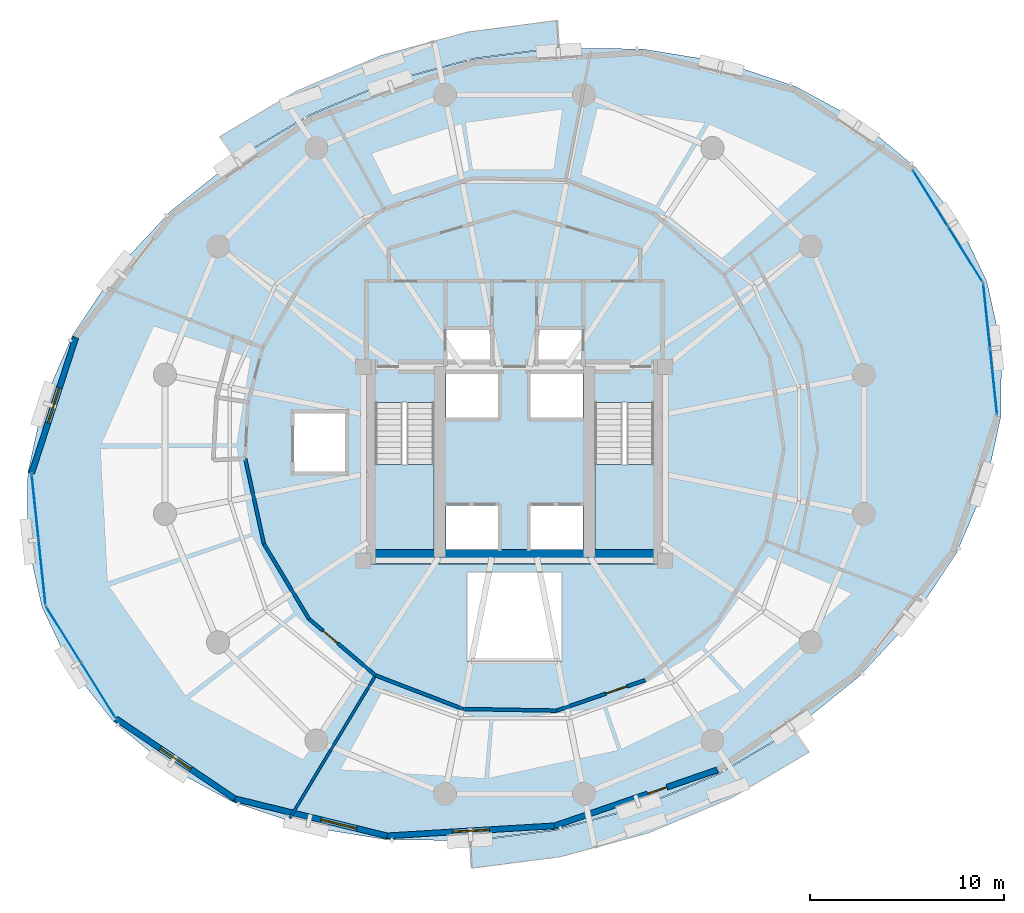
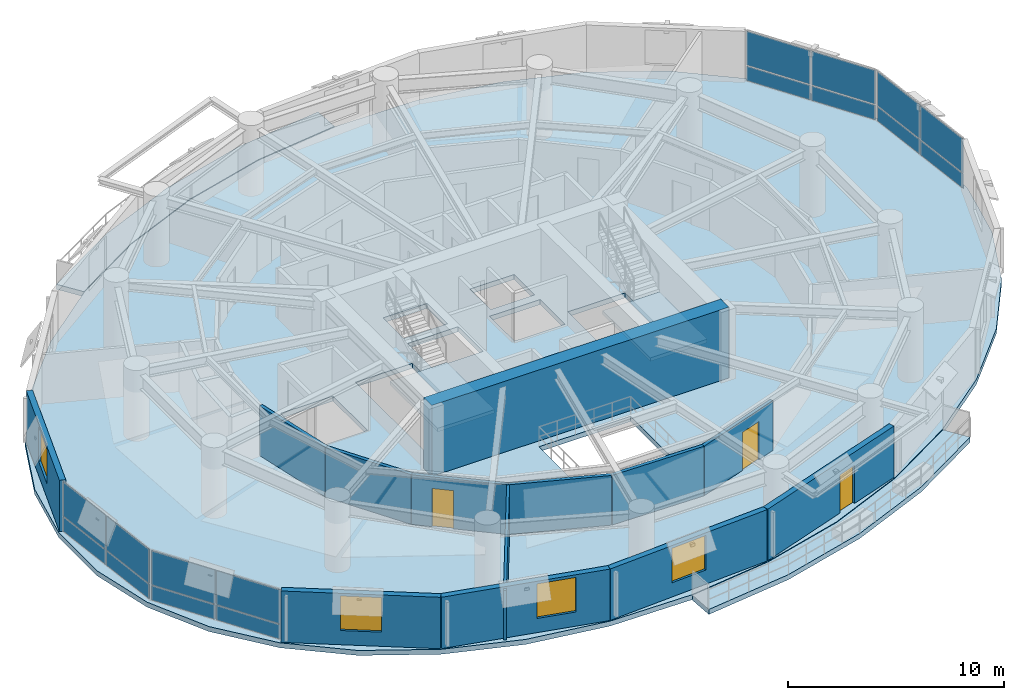
# One storey, part 9 of 15: 16 plates, 13 walls, 5 slabs, 4 windows, 3 doors, 7 openings, 6 elements without a shape of their own.
"""IFC4 building model written with IfcOpenShell, lengths in metres."""

from ifc_helpers import new_model, si_unit, direction, frame, frame_2d, origin, origin_2d, place, context, subcontext, project, spatial, polyline, rectangle, outline, extrude, material, layer, layer_set, type_object, element, fill, aggregate, save


model = new_model("IFC4")

# Units and contexts
model_context = context("Model", 3, precision=1e-05, world=origin(), true_north=direction((0.0, 1.0)))
body_context = subcontext(model_context, "Body", "Model", "MODEL_VIEW")
ifc_project = project(units=[si_unit("LENGTHUNIT", "METRE"), si_unit("AREAUNIT", "SQUARE_METRE"), si_unit("VOLUMEUNIT", "CUBIC_METRE"), si_unit("PLANEANGLEUNIT", "RADIAN"), si_unit("MASSUNIT", "GRAM", prefix="KILO"), si_unit("THERMODYNAMICTEMPERATUREUNIT", "KELVIN"), si_unit("POWERUNIT", "WATT")], contexts=[model_context])

# Site, building, storey
site_placement = place(None, origin())
site = spatial("IfcSite", under=ifc_project, at=site_placement, CompositionType="ELEMENT")
building_placement = place(site_placement, origin())
building = spatial("IfcBuilding", under=site, at=building_placement, Name="Ocrelia Relay Tower", CompositionType="ELEMENT")
storey_placement = place(building_placement, frame((0.0, 0.0, 113.800048828125)))
storey = spatial("IfcBuildingStorey", under=building, at=storey_placement, Name="L26", CompositionType="ELEMENT", Elevation=113.800048828125)

# Curtain wall, plates
ifc_material_1 = material(Name="Aluminium and solar-control low-E glass", Category="aluminium")
ifc_layer_1 = layer(ifc_material_1, 0.179931640625, Name="Aluminium and solar-control low-E glass")
ifc_layer_set_1 = layer_set([ifc_layer_1], Name="Aluminium and solar-control low-E glass")
curtain_wall_type = type_object("IfcCurtainWallType", Name="CW-SYS-Z2-SWIT", PredefinedType="NOTDEFINED", material=ifc_layer_set_1)
curtain_wall_1_placement = place(storey_placement, origin())
curtain_wall_1 = element("IfcCurtainWall", 1, at=curtain_wall_1_placement, inside=storey, type_object=curtain_wall_type, Name="L26 Elliptical Tower Curtain Wall Bay 01", PredefinedType="NOTDEFINED")
ifc_material_2 = material(Name="Clear double-glazed low-E glass", Category="glass")
ifc_layer_2 = layer(ifc_material_2, 0.031982421875, Name="Clear double-glazed low-E glass")
ifc_layer_set_2 = layer_set([ifc_layer_2], Name="Clear double-glazed low-E glass")
plate_type = type_object("IfcPlateType", Name="CW-SYS-Z2-SWIT-PNL", PredefinedType="CURTAIN_PANEL", material=ifc_layer_set_2)
plate_1_placement = place(storey_placement, frame((57.285400390625, 35.808349609375, 0.059814453125), z_axis=(0.0, 0.0, 1.0), x_axis=(-0.529468330311, 0.8483297043, 0.0)))
plate_1 = element("IfcPlate", 2, at=plate_1_placement, type_object=plate_type, Name="CW-Z2 panel 1.1", PredefinedType="CURTAIN_PANEL", context=body_context, shape_type="SweptSolid", body=[
    extrude(rectangle(XDim=3.33447265625, YDim=0.031982421875, at=origin_2d()), origin(), (0.0, 0.0, 1.0), 0.81005859375),
])
plate_2_placement = place(storey_placement, frame((57.285400390625, 35.808349609375, 0.93017578125), z_axis=(0.0, 0.0, 1.0), x_axis=(-0.529468330311, 0.8483297043, 0.0)))
plate_2 = element("IfcPlate", 3, at=plate_2_placement, type_object=plate_type, Name="CW-Z2 panel 1.2", PredefinedType="CURTAIN_PANEL", context=body_context, shape_type="SweptSolid", body=[
    extrude(rectangle(XDim=3.33447265625, YDim=0.031982421875, at=origin_2d()), origin(), (0.0, 0.0, 1.0), 1.909912109375),
])
plate_3_placement = place(storey_placement, frame((55.48291015625, 38.696533203125, 0.059814453125), z_axis=(0.0, 0.0, 1.0), x_axis=(-0.529468330311, 0.8483297043, 0.0)))
plate_3 = element("IfcPlate", 4, at=plate_3_placement, type_object=plate_type, Name="CW-Z2 panel 2.1", PredefinedType="CURTAIN_PANEL", context=body_context, shape_type="SweptSolid", body=[
    extrude(rectangle(XDim=3.33447265625, YDim=0.031982421875, at=origin_2d()), origin(), (0.0, 0.0, 1.0), 0.81005859375),
])
plate_4_placement = place(storey_placement, frame((55.48291015625, 38.696533203125, 0.93017578125), z_axis=(0.0, 0.0, 1.0), x_axis=(-0.529468330311, 0.8483297043, 0.0)))
plate_4 = element("IfcPlate", 5, at=plate_4_placement, type_object=plate_type, Name="CW-Z2 panel 2.2", PredefinedType="CURTAIN_PANEL", context=body_context, shape_type="SweptSolid", body=[
    extrude(rectangle(XDim=3.33447265625, YDim=0.031982421875, at=origin_2d()), origin(), (0.0, 0.0, 1.0), 1.909912109375),
])
aggregate(curtain_wall_1, [plate_1, plate_2, plate_3, plate_4])

curtain_wall_2_placement = place(storey_placement, origin())
curtain_wall_2 = element("IfcCurtainWall", 6, at=curtain_wall_2_placement, inside=storey, type_object=curtain_wall_type, Name="L26 Elliptical Tower Curtain Wall Bay 09", PredefinedType="NOTDEFINED")
plate_5_placement = place(storey_placement, frame((9.25439453125, 22.77880859375, 0.059814453125), z_axis=(0.0, 0.0, 1.0), x_axis=(0.105057836614, -0.994466113533, 0.0)))
plate_5 = element("IfcPlate", 7, at=plate_5_placement, type_object=plate_type, Name="CW-Z2 panel 1.1", PredefinedType="CURTAIN_PANEL", context=body_context, shape_type="SweptSolid", body=[
    extrude(rectangle(XDim=3.33447265625, YDim=0.031982421875, at=origin_2d()), origin(), (0.0, 0.0, 1.0), 0.81005859375),
])
plate_6_placement = place(storey_placement, frame((9.25439453125, 22.77880859375, 0.93017578125), z_axis=(0.0, 0.0, 1.0), x_axis=(0.105057836614, -0.994466113533, 0.0)))
plate_6 = element("IfcPlate", 8, at=plate_6_placement, type_object=plate_type, Name="CW-Z2 panel 1.2", PredefinedType="CURTAIN_PANEL", context=body_context, shape_type="SweptSolid", body=[
    extrude(rectangle(XDim=3.33447265625, YDim=0.031982421875, at=origin_2d()), origin(), (0.0, 0.0, 1.0), 1.909912109375),
])
plate_7_placement = place(storey_placement, frame((9.6123046875, 19.39306640625, 0.059814453125), z_axis=(0.0, 0.0, 1.0), x_axis=(0.105057836614, -0.994466113533, 0.0)))
plate_7 = element("IfcPlate", 9, at=plate_7_placement, type_object=plate_type, Name="CW-Z2 panel 2.1", PredefinedType="CURTAIN_PANEL", context=body_context, shape_type="SweptSolid", body=[
    extrude(rectangle(XDim=3.33447265625, YDim=0.031982421875, at=origin_2d()), origin(), (0.0, 0.0, 1.0), 0.81005859375),
])
plate_8_placement = place(storey_placement, frame((9.6123046875, 19.39306640625, 0.93017578125), z_axis=(0.0, 0.0, 1.0), x_axis=(0.105057836614, -0.994466113533, 0.0)))
plate_8 = element("IfcPlate", 10, at=plate_8_placement, type_object=plate_type, Name="CW-Z2 panel 2.2", PredefinedType="CURTAIN_PANEL", context=body_context, shape_type="SweptSolid", body=[
    extrude(rectangle(XDim=3.33447265625, YDim=0.031982421875, at=origin_2d()), origin(), (0.0, 0.0, 1.0), 1.909912109375),
])
aggregate(curtain_wall_2, [plate_5, plate_6, plate_7, plate_8])

curtain_wall_3_placement = place(storey_placement, origin())
curtain_wall_3 = element("IfcCurtainWall", 11, at=curtain_wall_3_placement, inside=storey, type_object=curtain_wall_type, Name="L26 Elliptical Tower Curtain Wall Bay 10", PredefinedType="NOTDEFINED")
plate_9_placement = place(storey_placement, frame((10.714599609375, 16.191650390625, 0.059814453125), z_axis=(0.0, 0.0, 1.0), x_axis=(0.529468330311, -0.8483297043, 0.0)))
plate_9 = element("IfcPlate", 12, at=plate_9_placement, type_object=plate_type, Name="CW-Z2 panel 1.1", PredefinedType="CURTAIN_PANEL", context=body_context, shape_type="SweptSolid", body=[
    extrude(rectangle(XDim=3.33447265625, YDim=0.031982421875, at=origin_2d()), origin(), (0.0, 0.0, 1.0), 0.81005859375),
])
plate_10_placement = place(storey_placement, frame((10.714599609375, 16.191650390625, 0.93017578125), z_axis=(0.0, 0.0, 1.0), x_axis=(0.529468330311, -0.8483297043, 0.0)))
plate_10 = element("IfcPlate", 13, at=plate_10_placement, type_object=plate_type, Name="CW-Z2 panel 1.2", PredefinedType="CURTAIN_PANEL", context=body_context, shape_type="SweptSolid", body=[
    extrude(rectangle(XDim=3.33447265625, YDim=0.031982421875, at=origin_2d()), origin(), (0.0, 0.0, 1.0), 1.909912109375),
])
plate_11_placement = place(storey_placement, frame((12.51708984375, 13.303466796875, 0.059814453125), z_axis=(0.0, 0.0, 1.0), x_axis=(0.529468330311, -0.8483297043, 0.0)))
plate_11 = element("IfcPlate", 14, at=plate_11_placement, type_object=plate_type, Name="CW-Z2 panel 2.1", PredefinedType="CURTAIN_PANEL", context=body_context, shape_type="SweptSolid", body=[
    extrude(rectangle(XDim=3.33447265625, YDim=0.031982421875, at=origin_2d()), origin(), (0.0, 0.0, 1.0), 0.81005859375),
])
plate_12_placement = place(storey_placement, frame((12.51708984375, 13.303466796875, 0.93017578125), z_axis=(0.0, 0.0, 1.0), x_axis=(0.529468330311, -0.8483297043, 0.0)))
plate_12 = element("IfcPlate", 15, at=plate_12_placement, type_object=plate_type, Name="CW-Z2 panel 2.2", PredefinedType="CURTAIN_PANEL", context=body_context, shape_type="SweptSolid", body=[
    extrude(rectangle(XDim=3.33447265625, YDim=0.031982421875, at=origin_2d()), origin(), (0.0, 0.0, 1.0), 1.909912109375),
])
aggregate(curtain_wall_3, [plate_9, plate_10, plate_11, plate_12])

curtain_wall_4_placement = place(storey_placement, origin())
curtain_wall_4 = element("IfcCurtainWall", 16, at=curtain_wall_4_placement, inside=storey, type_object=curtain_wall_type, Name="L26 Elliptical Tower Curtain Wall Bay 18", PredefinedType="NOTDEFINED")
plate_13_placement = place(storey_placement, frame((58.74560546875, 29.22119140625, 0.059814453125), z_axis=(0.0, 0.0, 1.0), x_axis=(-0.105057836614, 0.994466113533, 0.0)))
plate_13 = element("IfcPlate", 17, at=plate_13_placement, type_object=plate_type, Name="CW-Z2 panel 1.1", PredefinedType="CURTAIN_PANEL", context=body_context, shape_type="SweptSolid", body=[
    extrude(rectangle(XDim=3.33447265625, YDim=0.031982421875, at=origin_2d()), origin(), (0.0, 0.0, 1.0), 0.81005859375),
])
plate_14_placement = place(storey_placement, frame((58.74560546875, 29.22119140625, 0.93017578125), z_axis=(0.0, 0.0, 1.0), x_axis=(-0.105057836614, 0.994466113533, 0.0)))
plate_14 = element("IfcPlate", 18, at=plate_14_placement, type_object=plate_type, Name="CW-Z2 panel 1.2", PredefinedType="CURTAIN_PANEL", context=body_context, shape_type="SweptSolid", body=[
    extrude(rectangle(XDim=3.33447265625, YDim=0.031982421875, at=origin_2d()), origin(), (0.0, 0.0, 1.0), 1.909912109375),
])
plate_15_placement = place(storey_placement, frame((58.3876953125, 32.60693359375, 0.059814453125), z_axis=(0.0, 0.0, 1.0), x_axis=(-0.105057836614, 0.994466113533, 0.0)))
plate_15 = element("IfcPlate", 19, at=plate_15_placement, type_object=plate_type, Name="CW-Z2 panel 2.1", PredefinedType="CURTAIN_PANEL", context=body_context, shape_type="SweptSolid", body=[
    extrude(rectangle(XDim=3.33447265625, YDim=0.031982421875, at=origin_2d()), origin(), (0.0, 0.0, 1.0), 0.81005859375),
])
plate_16_placement = place(storey_placement, frame((58.3876953125, 32.60693359375, 0.93017578125), z_axis=(0.0, 0.0, 1.0), x_axis=(-0.105057836614, 0.994466113533, 0.0)))
plate_16 = element("IfcPlate", 20, at=plate_16_placement, type_object=plate_type, Name="CW-Z2 panel 2.2", PredefinedType="CURTAIN_PANEL", context=body_context, shape_type="SweptSolid", body=[
    extrude(rectangle(XDim=3.33447265625, YDim=0.031982421875, at=origin_2d()), origin(), (0.0, 0.0, 1.0), 1.909912109375),
])
aggregate(curtain_wall_4, [plate_13, plate_14, plate_15, plate_16])

# Slabs
ifc_material_3 = material(Name="Precast concrete C40/50", Category="concrete")
ifc_layer_3 = layer(ifc_material_3, 0.280029296875, Name="Precast concrete C40/50")
ifc_layer_set_3 = layer_set([ifc_layer_3], Name="Precast concrete C40/50")
slab_type_1 = type_object("IfcSlabType", Name="SL-BALC-280", PredefinedType="FLOOR", material=ifc_layer_set_3)
slab_1_placement = place(storey_placement, frame((0.0, 0.0, -0.280029296875)))
element("IfcSlab", 21, at=slab_1_placement, inside=storey, type_object=slab_type_1, Name="L26 Planted Loggia Balcony B1", PredefinedType="FLOOR", context=body_context, shape_type="SweptSolid", body=[
    extrude(outline(polyline([(36.2841796875, 46.4951171875), (34.0830078125, 46.2099609375), (31.8818359375, 45.9248046875), (27.5439453125, 44.749755859375), (23.402099609375, 43.005126953125), (21.491943359375, 41.874755859375), (19.58203125, 40.744140625), (18.78955078125, 41.890380859375), (20.782470703125, 43.06982421875), (22.775390625, 44.24951171875), (27.090576171875, 46.06689453125), (31.609619140625, 47.291259765625), (33.90625, 47.588623046875), (36.202880859375, 47.88623046875), (36.2841796875, 46.4951171875)])), origin(), (0.0, 0.0, 1.0), 0.280029296875),
])
slab_2_placement = place(storey_placement, frame((0.0, 0.0, -0.280029296875)))
element("IfcSlab", 22, at=slab_2_placement, inside=storey, type_object=slab_type_1, Name="L26 Planted Loggia Balcony B2", PredefinedType="FLOOR", context=body_context, shape_type="SweptSolid", body=[
    extrude(outline(polyline([(31.7158203125, 5.5048828125), (33.9169921875, 5.7900390625), (36.1181640625, 6.0751953125), (40.4560546875, 7.250244140625), (44.597900390625, 8.994873046875), (46.508056640625, 10.12548828125), (48.41796875, 11.255859375), (49.21044921875, 10.109619140625), (47.217529296875, 8.929931640625), (45.224609375, 7.75048828125), (40.909423828125, 5.93310546875), (36.390380859375, 4.708740234375), (34.09375, 4.411376953125), (31.797119140625, 4.11376953125), (31.7158203125, 5.5048828125)])), origin(), (0.0, 0.0, 1.0), 0.280029296875),
])
ifc_material_4 = material(Name="Concrete C50/60", Category="concrete")
ifc_layer_4 = layer(ifc_material_4, 0.280029296875, Name="Concrete C50/60")
ifc_layer_set_4 = layer_set([ifc_layer_4], Name="Concrete C50/60")
slab_type_2 = type_object("IfcSlabType", Name="SL-FLR-280", PredefinedType="FLOOR", material=ifc_layer_set_4)
slab_3_placement = place(storey_placement, frame((0.0, 0.0, -0.280029296875)))
element("IfcSlab", 23, at=slab_3_placement, inside=storey, type_object=slab_type_2, Name="L26 Elliptical Tower Floor Slab", PredefinedType="FLOOR", context=body_context, shape_type="SweptSolid", body=[
    extrude(outline(polyline([(58.394287109375, 34.399658203125), (56.904296875, 37.52294921875), (54.718505859375, 40.296142578125), (51.903076171875, 42.635009765625), (48.543701171875, 44.46826171875), (44.7421875, 45.740478515625), (40.614501953125, 46.412841796875), (36.285888671875, 46.465087890625), (31.8876953125, 45.8955078125), (27.5537109375, 44.72119140625), (23.41552734375, 42.978271484375), (19.59912109375, 40.719482421875), (16.22021484375, 38.01318359375), (13.381591796875, 34.942138671875), (11.169189453125, 31.599365234375), (9.650634765625, 28.086181640625), (8.8720703125, 24.510009765625), (8.856689453125, 20.97900390625), (9.605712890625, 17.600341796875), (11.095703125, 14.47705078125), (13.281494140625, 11.703857421875), (16.096923828125, 9.364990234375), (19.456298828125, 7.53173828125), (23.2578125, 6.259521484375), (27.385498046875, 5.587158203125), (31.714111328125, 5.534912109375), (36.1123046875, 6.1044921875), (40.4462890625, 7.27880859375), (44.58447265625, 9.021728515625), (48.40087890625, 11.280517578125), (51.77978515625, 13.98681640625), (54.618408203125, 17.057861328125), (56.830810546875, 20.400634765625), (58.349365234375, 23.913818359375), (59.1279296875, 27.489990234375), (59.143310546875, 31.02099609375), (58.394287109375, 34.399658203125)]), holes=[polyline([(26.81005859375, 28.14990234375), (26.81005859375, 20.550048828125), (29.85009765625, 20.550048828125), (29.85009765625, 28.14990234375), (26.81005859375, 28.14990234375)]), polyline([(38.159912109375, 28.14990234375), (38.159912109375, 20.550048828125), (41.199951171875, 20.550048828125), (41.199951171875, 28.14990234375), (38.159912109375, 28.14990234375)]), polyline([(30.4599609375, 20.550048828125), (33.159912109375, 20.550048828125), (33.159912109375, 22.85009765625), (30.4599609375, 22.85009765625), (30.4599609375, 20.550048828125)]), polyline([(34.840087890625, 20.550048828125), (37.5400390625, 20.550048828125), (37.5400390625, 22.85009765625), (34.840087890625, 22.85009765625), (34.840087890625, 20.550048828125)]), polyline([(30.4599609375, 27.35009765625), (33.159912109375, 27.35009765625), (33.159912109375, 29.64990234375), (30.4599609375, 29.64990234375), (30.4599609375, 27.35009765625)]), polyline([(34.840087890625, 27.35009765625), (37.5400390625, 27.35009765625), (37.5400390625, 29.64990234375), (34.840087890625, 29.64990234375), (34.840087890625, 27.35009765625)]), polyline([(30.5, 30.10009765625), (32.85009765625, 30.10009765625), (32.85009765625, 32.0), (30.5, 32.0), (30.5, 30.10009765625)]), polyline([(35.14990234375, 30.10009765625), (37.5, 30.10009765625), (37.5, 32.0), (35.14990234375, 32.0), (35.14990234375, 30.10009765625)]), polyline([(22.550048828125, 24.5), (25.35009765625, 24.5), (25.35009765625, 27.699951171875), (22.550048828125, 27.699951171875), (22.550048828125, 24.5)]), polyline([(31.550048828125, 14.800048828125), (36.449951171875, 14.800048828125), (36.449951171875, 19.39990234375), (31.550048828125, 19.39990234375), (31.550048828125, 14.800048828125)])]), origin(), (0.0, 0.0, 1.0), 0.280029296875),
])

# Stair, slab
stair_type = type_object("IfcStairType", Name="ST-DL-1420-R167", PredefinedType="HALF_TURN_STAIR", material=ifc_material_4)
stair_1_placement = place(storey_placement, origin())
stair_1 = element("IfcStair", 24, at=stair_1_placement, inside=storey, type_object=stair_type, Name="L26 West Core Exit Stair ST1", PredefinedType="HALF_TURN_STAIR")
ifc_layer_5 = layer(ifc_material_4, 0.199951171875, Name="Concrete C50/60")
ifc_layer_set_5 = layer_set([ifc_layer_5], Name="Concrete C50/60")
slab_type_3 = type_object("IfcSlabType", Name="SL-LANDING-200", PredefinedType="LANDING", material=ifc_layer_set_5)
slab_4_placement = place(storey_placement, frame((0.0, 0.0, 1.800048828125)))
slab_4 = element("IfcSlab", 25, at=slab_4_placement, type_object=slab_type_3, Name="ST1 landing 1", PredefinedType="LANDING", context=body_context, shape_type="SweptSolid", body=[
    extrude(outline(polyline([(26.81005859375, 24.9599609375), (26.81005859375, 20.550048828125), (29.85009765625, 20.550048828125), (29.85009765625, 24.9599609375), (26.81005859375, 24.9599609375)])), origin(), (0.0, 0.0, 1.0), 0.199951171875),
])
aggregate(stair_1, [slab_4])

stair_2_placement = place(storey_placement, origin())
stair_2 = element("IfcStair", 26, at=stair_2_placement, inside=storey, type_object=stair_type, Name="L26 East Core Exit Stair ST2", PredefinedType="HALF_TURN_STAIR")
slab_5_placement = place(storey_placement, frame((0.0, 0.0, 1.800048828125)))
slab_5 = element("IfcSlab", 27, at=slab_5_placement, type_object=slab_type_3, Name="ST2 landing 1", PredefinedType="LANDING", context=body_context, shape_type="SweptSolid", body=[
    extrude(outline(polyline([(38.159912109375, 24.9599609375), (38.159912109375, 20.550048828125), (41.199951171875, 20.550048828125), (41.199951171875, 24.9599609375), (38.159912109375, 24.9599609375)])), origin(), (0.0, 0.0, 1.0), 0.199951171875),
])
aggregate(stair_2, [slab_5])

# Walls
ifc_material_5 = material(Name="Concrete C60/75", Category="concrete")
ifc_layer_6 = layer(ifc_material_5, 0.75, Name="Concrete C60/75")
ifc_layer_set_6 = layer_set([ifc_layer_6], Name="Concrete C60/75")
wall_type_1 = type_object("IfcWallType", Name="CW-CORE-750", PredefinedType="SHEAR", material=ifc_layer_set_6)
wall_1_placement = place(storey_placement, frame((26.072021484375, 20.18701171875, 0.0), z_axis=(0.0, 0.0, 1.0), x_axis=(1.0, 0.0, 0.0)))
element("IfcWall", 28, at=wall_1_placement, inside=storey, type_object=wall_type_1, Name="L26 Core Shear Wall S", PredefinedType="SHEAR", context=body_context, shape_type="SweptSolid", body=[
    extrude(rectangle(XDim=15.865966796875, YDim=0.75, at=frame_2d((7.93310546875, 0.0))), origin(), (0.0, 0.0, 1.0), 4.0),
])
ifc_material_6 = material(Name="Gypsum Fireboard Partition EI60", Category="gypsum")
ifc_layer_7 = layer(ifc_material_6, 0.179931640625, Name="Gypsum Fireboard Partition EI60")
ifc_layer_set_7 = layer_set([ifc_layer_7], Name="Gypsum Fireboard Partition EI60")
wall_type_2 = type_object("IfcWallType", Name="W-CORR-EI60-180", PredefinedType="PARTITIONING", material=ifc_layer_set_7)
for number, where, z_axis, x_axis, name in (
    (29, (20.09912109375, 25.271484375, 0.0), (0.0, 0.0, 1.0), (0.213585608406, -0.976924351156, 0.0), "L26 Peering Conference Room Corridor Partition 1"),
    (30, (21.0634765625, 20.860595703125, 0.0), (0.0, 0.0, 1.0), (0.515044330956, -0.85716354166, 0.0), "L26 Peering Conference Room Corridor Partition 2"),
):
    element("IfcWall", number, at=place(storey_placement, frame(where, z_axis=z_axis, x_axis=x_axis)), inside=storey, type_object=wall_type_2, Name=name, PredefinedType="PARTITIONING", context=body_context, shape_type="SweptSolid", body=[
        extrude(rectangle(XDim=4.51513671875, YDim=0.179931640625, at=frame_2d((2.257568359375, 0.0))), origin(), (0.0, 0.0, 1.0), 2.800048828125),
    ])

# Wall, opening, door
wall_2_placement = place(storey_placement, frame((23.388916015625, 16.990478515625, 0.0), z_axis=(0.0, 0.0, 1.0), x_axis=(0.762294079169, -0.647230821936, 0.0)))
wall_2 = element("IfcWall", 31, at=wall_2_placement, inside=storey, type_object=wall_type_2, Name="L26 Peering Conference Room Corridor Partition 3", PredefinedType="PARTITIONING", context=body_context, shape_type="SweptSolid", body=[
    extrude(rectangle(XDim=4.51513671875, YDim=0.179931640625, at=frame_2d((2.257568359375, 0.0))), origin(), (0.0, 0.0, 1.0), 2.800048828125),
])
opening_1_placement = place(wall_2_placement, frame((0.953857421875, 0.0, 0.0)))
opening_1 = element("IfcOpeningElement", 32, at=opening_1_placement, cuts=wall_2, Name="Opening D-RM100", PredefinedType="OPENING", context=body_context, shape_type="SweptSolid", body=[
    extrude(rectangle(XDim=1.0, YDim=2.14990234375, at=frame_2d((0.5, 1.074951171875))), frame((0.0, 0.10009765625, 0.0), z_axis=(0.0, -1.0, 0.0), x_axis=(1.0, 0.0, 0.0)), (0.0, 0.0, 1.0), 0.199951171875),
])
ifc_material_7 = material(Name="Acoustic oak veneer fire door", Category="wood")
door_type_1 = type_object("IfcDoorType", Name="DR-ROOM-FD60-1000", OperationType="NOTDEFINED", PredefinedType="DOOR", material=ifc_material_7)
door_1_placement = place(opening_1_placement, origin())
door_1 = element("IfcDoor", 33, at=door_1_placement, inside=storey, type_object=door_type_1, Name="L26 Peering Conference Room Entrance Door", OperationType="SINGLE_SWING_RIGHT", OverallHeight=2.14990234375, OverallWidth=1.0, PredefinedType="DOOR", context=body_context, shape_type="SweptSolid", body=[
    extrude(rectangle(XDim=1.0, YDim=2.14990234375, at=frame_2d((0.5, 1.074951171875))), frame((0.0, 0.02490234375, 0.0), z_axis=(0.0, -1.0, 0.0), x_axis=(1.0, 0.0, 0.0)), (0.0, 0.0, 1.0), 0.050048828125),
])
fill(opening_1, door_1)

# Walls
for number, where, z_axis, x_axis, name in (
    (34, (26.830810546875, 14.068115234375, 0.0), (0.0, 0.0, 1.0), (0.933582294394, -0.35836308347, 0.0), "L26 Optical Switching Hall A Corridor Partition 1"),
    (35, (31.343994140625, 12.335693359375, 0.0), (0.0, 0.0, 1.0), (0.999848201787, -0.01742335739, 0.0), "L26 Optical Switching Hall A Corridor Partition 2"),
):
    element("IfcWall", number, at=place(storey_placement, frame(where, z_axis=z_axis, x_axis=x_axis)), inside=storey, type_object=wall_type_2, Name=name, PredefinedType="PARTITIONING", context=body_context, shape_type="SweptSolid", body=[
        extrude(rectangle(XDim=4.834228515625, YDim=0.179931640625, at=frame_2d((2.4169921875, 0.0))), origin(), (0.0, 0.0, 1.0), 2.800048828125),
    ])

# Wall, opening, door
wall_3_placement = place(storey_placement, frame((36.177490234375, 12.25146484375, 0.0), z_axis=(0.0, 0.0, 1.0), x_axis=(0.945531725064, 0.325529963134, 0.0)))
wall_3 = element("IfcWall", 36, at=wall_3_placement, inside=storey, type_object=wall_type_2, Name="L26 Optical Switching Hall A Corridor Partition 3", PredefinedType="PARTITIONING", context=body_context, shape_type="SweptSolid", body=[
    extrude(rectangle(XDim=4.83447265625, YDim=0.179931640625, at=frame_2d((2.417236328125, 0.0))), origin(), (0.0, 0.0, 1.0), 2.800048828125),
])
opening_2_placement = place(wall_3_placement, frame((2.688232421875, 0.0, 0.0)))
opening_2 = element("IfcOpeningElement", 37, at=opening_2_placement, cuts=wall_3, Name="Opening D-RM115", PredefinedType="OPENING", context=body_context, shape_type="SweptSolid", body=[
    extrude(rectangle(XDim=1.14990234375, YDim=2.14990234375, at=frame_2d((0.574951171875, 1.074951171875))), frame((0.0, 0.10009765625, 0.0), z_axis=(0.0, -1.0, 0.0), x_axis=(1.0, 0.0, 0.0)), (0.0, 0.0, 1.0), 0.199951171875),
])
ifc_material_8 = material(Name="Wide acoustic oak veneer fire door", Category="wood")
door_type_2 = type_object("IfcDoorType", Name="DR-ROOM-1150", OperationType="NOTDEFINED", PredefinedType="DOOR", material=ifc_material_8)
door_2_placement = place(opening_2_placement, origin())
door_2 = element("IfcDoor", 38, at=door_2_placement, inside=storey, type_object=door_type_2, Name="L26 Optical Switching Hall A Entrance Door", OperationType="SINGLE_SWING_LEFT", OverallHeight=2.14990234375, OverallWidth=1.14990234375, PredefinedType="DOOR", context=body_context, shape_type="SweptSolid", body=[
    extrude(rectangle(XDim=1.14990234375, YDim=2.14990234375, at=frame_2d((0.574951171875, 1.074951171875))), frame((0.0, 0.02490234375, 0.0), z_axis=(0.0, -1.0, 0.0), x_axis=(1.0, 0.0, 0.0)), (0.0, 0.0, 1.0), 0.050048828125),
])
fill(opening_2, door_2)

# Wall, opening, window
ifc_material_9 = material(Name="Precast concrete C40/50 with oxide terracotta", Category="masonry")
ifc_layer_8 = layer(ifc_material_9, 0.300048828125, Name="Precast concrete C40/50 with oxide terracotta")
ifc_layer_set_8 = layer_set([ifc_layer_8], Name="Precast concrete C40/50 with oxide terracotta")
wall_type_3 = type_object("IfcWallType", Name="W-EXT-TERR-300", PredefinedType="SOLIDWALL", material=ifc_layer_set_8)
wall_4_placement = place(storey_placement, frame((11.35595703125, 31.527587890625, 0.0), z_axis=(0.0, 0.0, 1.0), x_axis=(-0.309344767341, -0.95094995395, 0.0)))
wall_4 = element("IfcWall", 39, at=wall_4_placement, inside=storey, type_object=wall_type_3, Name="L26 Oxide Terracotta Facade Wall 08", PredefinedType="SOLIDWALL", context=body_context, shape_type="SweptSolid", body=[
    extrude(rectangle(XDim=7.383056640625, YDim=0.300048828125, at=frame_2d((3.69140625, 0.0))), origin(), (0.0, 0.0, 1.0), 2.89990234375),
])
opening_3_placement = place(wall_4_placement, frame((2.741943359375, 0.0, 0.800048828125)))
opening_3 = element("IfcOpeningElement", 40, at=opening_3_placement, cuts=wall_4, Name="Opening W-06", PredefinedType="OPENING", context=body_context, shape_type="SweptSolid", body=[
    extrude(rectangle(XDim=1.89990234375, YDim=1.949951171875, at=frame_2d((0.949951171875, 0.97509765625))), frame((0.0, 0.16015625, 0.0), z_axis=(0.0, -1.0, 0.0), x_axis=(1.0, 0.0, 0.0)), (0.0, 0.0, 1.0), 0.320068359375),
])
window_type = type_object("IfcWindowType", Name="WIN-Z2-1900x2100", PartitioningType="DOUBLE_PANEL_VERTICAL", PredefinedType="WINDOW", material=ifc_material_2)
window_1_placement = place(opening_3_placement, origin())
window_1 = element("IfcWindow", 41, at=window_1_placement, inside=storey, type_object=window_type, Name="L26 Facade Module Window 08", OverallHeight=1.949951171875, OverallWidth=1.89990234375, PartitioningType="SINGLE_PANEL", PredefinedType="WINDOW", context=body_context, shape_type="SweptSolid", body=[
    extrude(rectangle(XDim=1.89990234375, YDim=1.949951171875, at=frame_2d((0.949951171875, 0.97509765625))), frame((0.0, 0.030029296875, 0.0), z_axis=(0.0, -1.0, 0.0), x_axis=(1.0, 0.0, 0.0)), (0.0, 0.0, 1.0), 0.06005859375),
])
fill(opening_3, window_1)

wall_5_placement = place(storey_placement, frame((13.43701171875, 11.82958984375, 0.0), z_axis=(0.0, 0.0, 1.0), x_axis=(0.829231445655, -0.558905367247, 0.0)))
wall_5 = element("IfcWall", 42, at=wall_5_placement, inside=storey, type_object=wall_type_3, Name="L26 Oxide Terracotta Facade Wall 11", PredefinedType="SOLIDWALL", context=body_context, shape_type="SweptSolid", body=[
    extrude(rectangle(XDim=7.383056640625, YDim=0.300048828125, at=frame_2d((3.69140625, 0.0))), origin(), (0.0, 0.0, 1.0), 2.89990234375),
])
opening_4_placement = place(wall_5_placement, frame((2.741943359375, 0.0, 0.800048828125)))
opening_4 = element("IfcOpeningElement", 43, at=opening_4_placement, cuts=wall_5, Name="Opening W-06", PredefinedType="OPENING", context=body_context, shape_type="SweptSolid", body=[
    extrude(rectangle(XDim=1.89990234375, YDim=1.949951171875, at=frame_2d((0.949951171875, 0.97509765625))), frame((0.0, 0.16015625, 0.0), z_axis=(0.0, -1.0, 0.0), x_axis=(1.0, 0.0, 0.0)), (0.0, 0.0, 1.0), 0.320068359375),
])
window_2_placement = place(opening_4_placement, origin())
window_2 = element("IfcWindow", 44, at=window_2_placement, inside=storey, type_object=window_type, Name="L26 Facade Module Window 11", OverallHeight=1.949951171875, OverallWidth=1.89990234375, PartitioningType="SINGLE_PANEL", PredefinedType="WINDOW", context=body_context, shape_type="SweptSolid", body=[
    extrude(rectangle(XDim=1.89990234375, YDim=1.949951171875, at=frame_2d((0.949951171875, 0.97509765625))), frame((0.0, 0.030029296875, 0.0), z_axis=(0.0, -1.0, 0.0), x_axis=(1.0, 0.0, 0.0)), (0.0, 0.0, 1.0), 0.06005859375),
])
fill(opening_4, window_2)

wall_6_placement = place(storey_placement, frame((19.559326171875, 7.703125, 0.0), z_axis=(0.0, 0.0, 1.0), x_axis=(0.971475786146, -0.237138771466, 0.0)))
wall_6 = element("IfcWall", 45, at=wall_6_placement, inside=storey, type_object=wall_type_3, Name="L26 Oxide Terracotta Facade Wall 12", PredefinedType="SOLIDWALL", context=body_context, shape_type="SweptSolid", body=[
    extrude(rectangle(XDim=8.09521484375, YDim=0.300048828125, at=frame_2d((4.047607421875, 0.0))), origin(), (0.0, 0.0, 1.0), 2.89990234375),
])
opening_5_placement = place(wall_6_placement, frame((4.580078125, 0.0, 0.800048828125)))
opening_5 = element("IfcOpeningElement", 46, at=opening_5_placement, cuts=wall_6, Name="Opening W-06", PredefinedType="OPENING", context=body_context, shape_type="SweptSolid", body=[
    extrude(rectangle(XDim=1.89990234375, YDim=1.949951171875, at=frame_2d((0.949951171875, 0.97509765625))), frame((0.0, 0.16015625, 0.0), z_axis=(0.0, -1.0, 0.0), x_axis=(1.0, 0.0, 0.0)), (0.0, 0.0, 1.0), 0.320068359375),
])
window_3_placement = place(opening_5_placement, origin())
window_3 = element("IfcWindow", 47, at=window_3_placement, inside=storey, type_object=window_type, Name="L26 Facade Module Window 12", OverallHeight=1.949951171875, OverallWidth=1.89990234375, PartitioningType="SINGLE_PANEL", PredefinedType="WINDOW", context=body_context, shape_type="SweptSolid", body=[
    extrude(rectangle(XDim=1.89990234375, YDim=1.949951171875, at=frame_2d((0.949951171875, 0.97509765625))), frame((0.0, 0.030029296875, 0.0), z_axis=(0.0, -1.0, 0.0), x_axis=(1.0, 0.0, 0.0)), (0.0, 0.0, 1.0), 0.06005859375),
])
fill(opening_5, window_3)

wall_7_placement = place(storey_placement, frame((27.423583984375, 5.783447265625, 0.0), z_axis=(0.0, 0.0, 1.0), x_axis=(0.998210999653, 0.059789632646, 0.0)))
wall_7 = element("IfcWall", 48, at=wall_7_placement, inside=storey, type_object=wall_type_3, Name="L26 Oxide Terracotta Facade Wall 13", PredefinedType="SOLIDWALL", context=body_context, shape_type="SweptSolid", body=[
    extrude(rectangle(XDim=8.673095703125, YDim=0.300048828125, at=frame_2d((4.33642578125, 0.0))), origin(), (0.0, 0.0, 1.0), 2.89990234375),
])
opening_6_placement = place(wall_7_placement, frame((3.385986328125, 0.0, 0.800048828125)))
opening_6 = element("IfcOpeningElement", 49, at=opening_6_placement, cuts=wall_7, Name="Opening W-06", PredefinedType="OPENING", context=body_context, shape_type="SweptSolid", body=[
    extrude(rectangle(XDim=1.89990234375, YDim=1.949951171875, at=frame_2d((0.949951171875, 0.97509765625))), frame((0.0, 0.16015625, 0.0), z_axis=(0.0, -1.0, 0.0), x_axis=(1.0, 0.0, 0.0)), (0.0, 0.0, 1.0), 0.320068359375),
])
window_4_placement = place(opening_6_placement, origin())
window_4 = element("IfcWindow", 50, at=window_4_placement, inside=storey, type_object=window_type, Name="L26 Facade Module Window 13", OverallHeight=1.949951171875, OverallWidth=1.89990234375, PartitioningType="SINGLE_PANEL", PredefinedType="WINDOW", context=body_context, shape_type="SweptSolid", body=[
    extrude(rectangle(XDim=1.89990234375, YDim=1.949951171875, at=frame_2d((0.949951171875, 0.97509765625))), frame((0.0, 0.030029296875, 0.0), z_axis=(0.0, -1.0, 0.0), x_axis=(1.0, 0.0, 0.0)), (0.0, 0.0, 1.0), 0.06005859375),
])
fill(opening_6, window_4)

# Wall, opening, door
wall_8_placement = place(storey_placement, frame((36.0810546875, 6.302001953125, 0.0), z_axis=(0.0, 0.0, 1.0), x_axis=(0.945509178588, 0.325595444079, 0.0)))
wall_8 = element("IfcWall", 51, at=wall_8_placement, inside=storey, type_object=wall_type_3, Name="L26 Oxide Terracotta Facade Wall 14", PredefinedType="SOLIDWALL", context=body_context, shape_type="SweptSolid", body=[
    extrude(rectangle(XDim=8.890625, YDim=0.300048828125, at=frame_2d((4.4453125, 0.0))), origin(), (0.0, 0.0, 1.0), 2.89990234375),
])
opening_7_placement = place(wall_8_placement, frame((5.070068359375, 0.0, 0.0)))
opening_7 = element("IfcOpeningElement", 52, at=opening_7_placement, cuts=wall_8, Name="Opening DB-105", PredefinedType="OPENING", context=body_context, shape_type="SweptSolid", body=[
    extrude(rectangle(XDim=1.050048828125, YDim=2.14990234375, at=frame_2d((0.52490234375, 1.074951171875))), frame((0.0, 0.16015625, 0.0), z_axis=(0.0, -1.0, 0.0), x_axis=(1.0, 0.0, 0.0)), (0.0, 0.0, 1.0), 0.320068359375),
])
ifc_material_10 = material(Name="Thermally broken aluminium and clear glass", Category="aluminium")
door_type_3 = type_object("IfcDoorType", Name="DR-BALC-1050", OperationType="NOTDEFINED", PredefinedType="DOOR", material=ifc_material_10)
door_3_placement = place(opening_7_placement, origin())
door_3 = element("IfcDoor", 53, at=door_3_placement, inside=storey, type_object=door_type_3, Name="L26 Planted Loggia Balcony Door B2", OperationType="SINGLE_SWING_LEFT", OverallHeight=2.14990234375, OverallWidth=1.050048828125, PredefinedType="DOOR", context=body_context, shape_type="SweptSolid", body=[
    extrude(rectangle(XDim=1.050048828125, YDim=2.14990234375, at=frame_2d((0.52490234375, 1.074951171875))), frame((0.0, 0.02490234375, 0.0), z_axis=(0.0, -1.0, 0.0), x_axis=(1.0, 0.0, 0.0)), (0.0, 0.0, 1.0), 0.050048828125),
])
fill(opening_7, door_3)

# Wall
ifc_material_11 = material(Name="Acoustic Fireboard Partition EI60", Category="gypsum")
ifc_layer_9 = layer(ifc_material_11, 0.139892578125, Name="Acoustic Fireboard Partition EI60")
ifc_layer_set_9 = layer_set([ifc_layer_9], Name="Acoustic Fireboard Partition EI60")
wall_type_4 = type_object("IfcWallType", Name="W-PART-140", PredefinedType="PARTITIONING", material=ifc_layer_set_9)
wall_9_placement = place(storey_placement, frame((26.830810546875, 14.068115234375, 0.0), z_axis=(0.0, 0.0, 1.0), x_axis=(-0.515067255651, -0.857149766468, 0.0)))
element("IfcWall", 54, at=wall_9_placement, inside=storey, type_object=wall_type_4, Name="L26 Peering Conference Room Radial Partition", PredefinedType="PARTITIONING", context=body_context, shape_type="SweptSolid", body=[
    extrude(rectangle(XDim=8.60498046875, YDim=0.139892578125, at=frame_2d((4.302490234375, 0.0))), origin(), (0.0, 0.0, 1.0), 2.800048828125),
])

save(model, "model.ifc")
